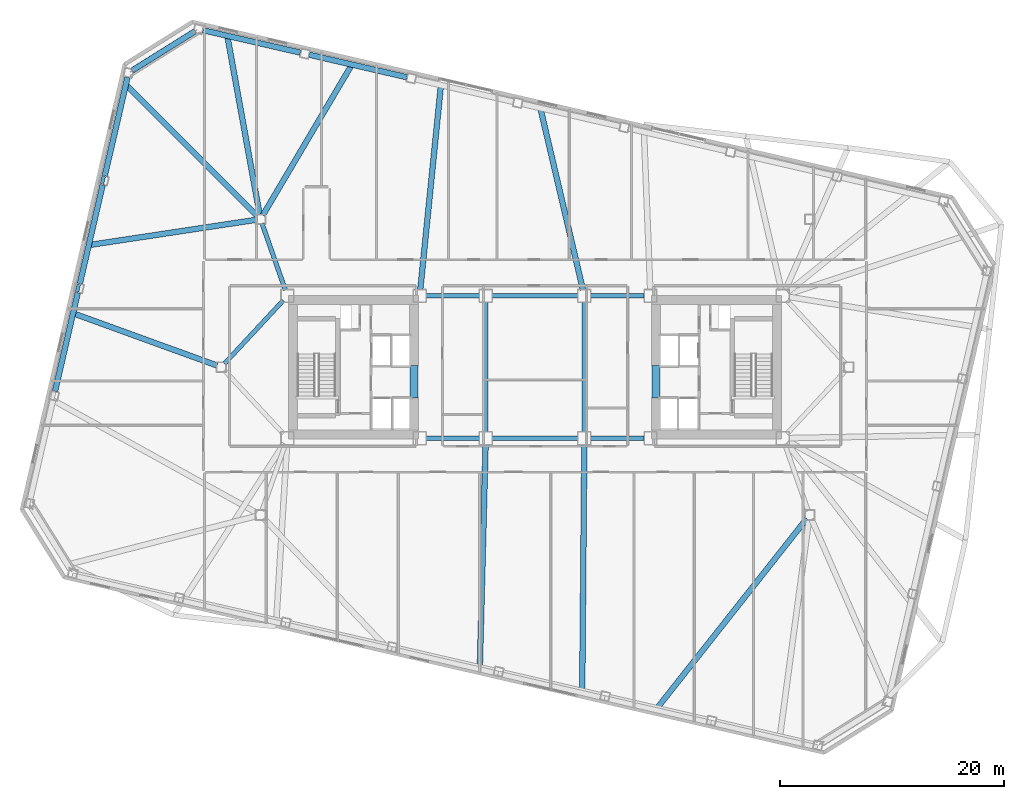
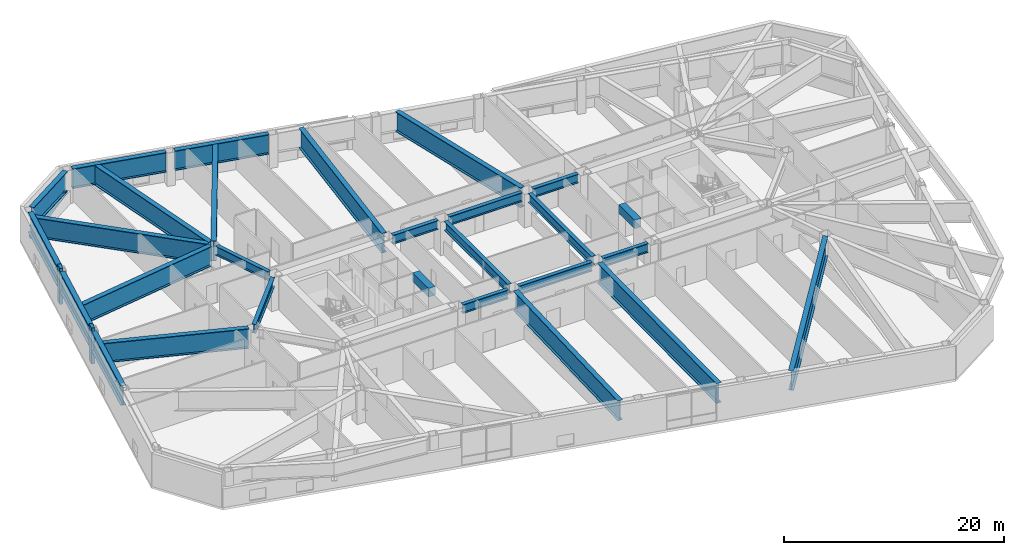
# One storey, part 5 of 19: 28 beams, 3 members.
"""IFC4 building model written with IfcOpenShell, lengths in metres."""

from ifc_helpers import new_model, si_unit, direction, frame, origin, origin_2d, place, context, subcontext, project, spatial, rectangle, hollow_circle, i_section, extrude, material, material_profile, profile_set, type_object, element, save


model = new_model("IFC4")

# Units and contexts
model_context = context("Model", 3, precision=1e-05, world=origin(), true_north=direction((0.0, 1.0)))
body_context = subcontext(model_context, "Body", "Model", "MODEL_VIEW")
ifc_project = project(units=[si_unit("LENGTHUNIT", "METRE"), si_unit("AREAUNIT", "SQUARE_METRE"), si_unit("VOLUMEUNIT", "CUBIC_METRE"), si_unit("PLANEANGLEUNIT", "RADIAN"), si_unit("MASSUNIT", "GRAM", prefix="KILO")], contexts=[model_context])

# Site, building, storey
site_placement = place(None, origin())
site = spatial("IfcSite", under=ifc_project, at=site_placement, CompositionType="ELEMENT")
building_placement = place(site_placement, origin())
building = spatial("IfcBuilding", under=site, at=building_placement, Name="Tavrogorsk Clinical Tower", CompositionType="ELEMENT")
storey_placement = place(building_placement, frame((0.0, 0.0, 79.39990234375)))
storey = spatial("IfcBuildingStorey", under=building, at=storey_placement, Name="L17", CompositionType="ELEMENT", Elevation=79.39990234375)

# Beams
ifc_material_1 = material(Name="Concrete B80", Category="concrete")
ifc_material_profile_1 = material_profile(ifc_material_1, rectangle(XDim=0.699951171875, YDim=0.949951171875, at=origin_2d()), Name="RC-CB-700x950")
ifc_profile_set_1 = profile_set([ifc_material_profile_1], Name="Concrete B80")
beam_type_1 = type_object("IfcBeamType", Name="CouplingBeam_RC700x950", PredefinedType="LINTEL", material=ifc_profile_set_1)
for number, where, z_axis, x_axis, name in (
    (1, (-10.800048828125, -2.75, 3.205078125), (0.0, 1.0, 0.0), (-1.0, 0.0, 0.0), "L17 Core West Coupling Beam"),
    (2, (10.800048828125, -2.75, 3.205078125), (0.0, 1.0, 0.0), (-1.0, 0.0, 0.0), "L17 Core East Coupling Beam"),
):
    element("IfcBeam", number, at=place(storey_placement, frame(where, z_axis=z_axis, x_axis=x_axis)), inside=storey, type_object=beam_type_1, Name=name, PredefinedType="LINTEL", context=body_context, shape_type="SweptSolid", body=[
        extrude(rectangle(XDim=0.699951171875, YDim=0.949951171875, at=origin_2d()), origin(), (0.0, 0.0, 1.0), 2.89990234375),
    ])

# Members
ifc_material_2 = material(Name="Structural steel S440", Category="steel")
ifc_material_profile_2 = material_profile(ifc_material_2, hollow_circle(Radius=0.25390625, WallThickness=0.02001953125, at=origin_2d()), Name="CHS-508x20")
ifc_profile_set_2 = profile_set([ifc_material_profile_2], Name="Structural steel S440")
member_type_1 = type_object("IfcMemberType", Name="ExoBrace_CHS508", PredefinedType="BRACE", material=ifc_profile_set_2)
member_placement = place(storey_placement, frame((-35.934326171875, 26.473388671875, 0.362060546875), z_axis=(0.838227018701, 0.523744467234, 0.151878893074), x_axis=(-0.52989168203, 0.848065330806, 0.0)))
element("IfcMember", 3, at=member_placement, inside=storey, type_object=member_type_1, Name="L17 Corner Exoskeleton Brace N8-W1", PredefinedType="BRACE", context=body_context, shape_type="SweptSolid", body=[
    extrude(hollow_circle(Radius=0.25390625, WallThickness=0.02001953125, at=origin_2d()), origin(), (0.0, 0.0, 1.0), 6.624267578125),
])
ifc_material_3 = material(Name="Precast concrete B45 with limestone cladding", Category="masonry")
ifc_material_profile_3 = material_profile(ifc_material_3, rectangle(XDim=0.320068359375, YDim=0.719970703125, at=origin_2d()), Name="LIMESTONE-FIN-320x720")
ifc_profile_set_3 = profile_set([ifc_material_profile_3], Name="Precast concrete B45 with limestone cladding")
member_type_2 = type_object("IfcMemberType", Name="LimestonePleatFin_320x720", PredefinedType="USERDEFINED", material=ifc_profile_set_3)
for number, where, z_axis, x_axis, name in (
    (4, (-38.572265625, 16.67041015625, 0.0), (0.0, 0.0, 1.0), (0.974370064785, -0.224951054344, 0.0), "L17 W Pleated Stone Fin 1"),
    (5, (-40.7900390625, 7.06298828125, 0.0), (0.0, 0.0, 1.0), (0.974370064785, -0.224951054344, 0.0), "L17 W Pleated Stone Fin 2"),
):
    element("IfcMember", number, at=place(storey_placement, frame(where, z_axis=z_axis, x_axis=x_axis)), inside=storey, type_object=member_type_2, Name=name, ObjectType="FIN", PredefinedType="USERDEFINED", context=body_context, shape_type="SweptSolid", body=[
        extrude(rectangle(XDim=0.320068359375, YDim=0.719970703125, at=origin_2d()), origin(), (0.0, 0.0, 1.0), 4.0),
    ])

# Beams
ifc_material_4 = material(Name="Structural steel S440", Category="steel")
ifc_material_profile_4 = material_profile(ifc_material_4, i_section(OverallWidth=0.39990234375, OverallDepth=1.0, WebThickness=0.028076171875, FlangeThickness=0.044921875, at=origin_2d()), Name="DK-1000x400x28x45")
ifc_profile_set_4 = profile_set([ifc_material_profile_4], Name="Structural steel S440")
beam_type_2 = type_object("IfcBeamType", Name="TransferGirder_DK1000", PredefinedType="USERDEFINED", material=ifc_profile_set_4)
for number, where, z_axis, x_axis, name in (
    (6, (-9.739990234375, -6.35009765625, 3.18017578125), (1.0, 0.0, 0.0), (0.0, 1.0, 0.0), "L17 Primary Spine Girder MG-01"),
    (7, (-9.739990234375, 6.35009765625, 3.18017578125), (1.0, 0.0, 0.0), (0.0, 1.0, 0.0), "L17 Primary Spine Girder MG-02"),
):
    element("IfcBeam", number, at=place(storey_placement, frame(where, z_axis=z_axis, x_axis=x_axis)), inside=storey, type_object=beam_type_2, Name=name, ObjectType="GIRDER", PredefinedType="USERDEFINED", context=body_context, shape_type="SweptSolid", body=[
        extrude(i_section(OverallWidth=0.39990234375, OverallDepth=1.0, WebThickness=0.028076171875, FlangeThickness=0.044921875, at=origin_2d()), origin(), (0.0, 0.0, 1.0), 4.780029296875),
    ])
for number, where, z_axis, x_axis, name in (
    (8, (-3.840087890625, -6.35009765625, 3.18017578125), (1.0, 0.0, 0.0), (0.0, 1.0, 0.0), "L17 Primary Spine Girder MG-03"),
    (9, (-3.840087890625, 6.35009765625, 3.18017578125), (1.0, 0.0, 0.0), (0.0, 1.0, 0.0), "L17 Primary Spine Girder MG-04"),
):
    element("IfcBeam", number, at=place(storey_placement, frame(where, z_axis=z_axis, x_axis=x_axis)), inside=storey, type_object=beam_type_2, Name=name, ObjectType="GIRDER", PredefinedType="USERDEFINED", context=body_context, shape_type="SweptSolid", body=[
        extrude(i_section(OverallWidth=0.39990234375, OverallDepth=1.0, WebThickness=0.028076171875, FlangeThickness=0.044921875, at=origin_2d()), origin(), (0.0, 0.0, 1.0), 7.68017578125),
    ])
for number, where, z_axis, x_axis, name in (
    (10, (4.9599609375, -6.35009765625, 3.18017578125), (1.0, 0.0, 0.0), (0.0, 1.0, 0.0), "L17 Primary Spine Girder MG-05"),
    (11, (4.9599609375, 6.35009765625, 3.18017578125), (1.0, 0.0, 0.0), (0.0, 1.0, 0.0), "L17 Primary Spine Girder MG-06"),
):
    element("IfcBeam", number, at=place(storey_placement, frame(where, z_axis=z_axis, x_axis=x_axis)), inside=storey, type_object=beam_type_2, Name=name, ObjectType="GIRDER", PredefinedType="USERDEFINED", context=body_context, shape_type="SweptSolid", body=[
        extrude(i_section(OverallWidth=0.39990234375, OverallDepth=1.0, WebThickness=0.028076171875, FlangeThickness=0.044921875, at=origin_2d()), origin(), (0.0, 0.0, 1.0), 4.780029296875),
    ])
for number, where, z_axis, x_axis, name in (
    (12, (-4.39990234375, -5.7900390625, 3.18017578125), (0.0, 1.0, 0.0), (-1.0, 0.0, 0.0), "L17 Primary Spine Girder MG-07"),
    (13, (4.39990234375, -5.7900390625, 3.18017578125), (0.0, 1.0, 0.0), (-1.0, 0.0, 0.0), "L17 Primary Spine Girder MG-08"),
):
    element("IfcBeam", number, at=place(storey_placement, frame(where, z_axis=z_axis, x_axis=x_axis)), inside=storey, type_object=beam_type_2, Name=name, ObjectType="GIRDER", PredefinedType="USERDEFINED", context=body_context, shape_type="SweptSolid", body=[
        extrude(i_section(OverallWidth=0.39990234375, OverallDepth=1.0, WebThickness=0.028076171875, FlangeThickness=0.044921875, at=origin_2d()), origin(), (0.0, 0.0, 1.0), 11.580078125),
    ])
beam_1_placement = place(storey_placement, frame((-24.364501953125, 12.81298828125, 3.18017578125), z_axis=(0.330668611543, -0.943746930771, 0.0), x_axis=(0.943746930771, 0.330668611543, 0.0)))
element("IfcBeam", 14, at=beam_1_placement, inside=storey, type_object=beam_type_2, Name="L17 Spine Link Girder OPG-3", ObjectType="GIRDER", PredefinedType="USERDEFINED", context=body_context, shape_type="SweptSolid", body=[
    extrude(i_section(OverallWidth=0.39990234375, OverallDepth=1.0, WebThickness=0.028076171875, FlangeThickness=0.044921875, at=origin_2d()), origin(), (0.0, 0.0, 1.0), 6.288330078125),
])
beam_2_placement = place(storey_placement, frame((-27.720947265625, 0.30029296875, 3.18017578125), z_axis=(0.680671250221, 0.732589004233, 0.0), x_axis=(-0.732589004233, 0.680671250221, 0.0)))
element("IfcBeam", 15, at=beam_2_placement, inside=storey, type_object=beam_type_2, Name="L17 Spine Link Girder OPG-6", ObjectType="GIRDER", PredefinedType="USERDEFINED", context=body_context, shape_type="SweptSolid", body=[
    extrude(i_section(OverallWidth=0.39990234375, OverallDepth=1.0, WebThickness=0.028076171875, FlangeThickness=0.044921875, at=origin_2d()), origin(), (0.0, 0.0, 1.0), 7.697998046875),
])
ifc_material_5 = material(Name="Structural steel S440", Category="steel")
ifc_material_profile_5 = material_profile(ifc_material_5, i_section(OverallWidth=0.5, OverallDepth=2.199951171875, WebThickness=0.035888671875, FlangeThickness=0.054931640625, at=origin_2d()), Name="DK-2200x500x36x55")
ifc_profile_set_5 = profile_set([ifc_material_profile_5], Name="Structural steel S440")
beam_type_3 = type_object("IfcBeamType", Name="TransferGirder_DK2200", PredefinedType="USERDEFINED", material=ifc_profile_set_5)
for number, where, z_axis, x_axis, name in (
    (16, (-11.43994140625, 25.862548828125, 2.580078125), (-0.974372766602, 0.224939351168, 0.0), (-0.224939351168, -0.974372766602, 0.0), "L17 Perimeter Spandrel N6-N7"),
    (17, (-20.9384765625, 28.055419921875, 2.580078125), (-0.974366775889, 0.224965299645, 0.0), (-0.224965299645, -0.974366775889, 0.0), "L17 Perimeter Spandrel N7-N8"),
):
    element("IfcBeam", number, at=place(storey_placement, frame(where, z_axis=z_axis, x_axis=x_axis)), inside=storey, type_object=beam_type_3, Name=name, ObjectType="GIRDER", PredefinedType="USERDEFINED", context=body_context, shape_type="SweptSolid", body=[
        extrude(i_section(OverallWidth=0.5, OverallDepth=2.199951171875, WebThickness=0.035888671875, FlangeThickness=0.054931640625, at=origin_2d()), origin(), (0.0, 0.0, 1.0), 8.9326171875),
    ])
beam_3_placement = place(storey_placement, frame((-30.3857421875, 29.9404296875, 2.580078125), z_axis=(-0.848044454239, -0.529925092475, 0.0), x_axis=(0.529925092475, -0.848044454239, 0.0)))
element("IfcBeam", 18, at=beam_3_placement, inside=storey, type_object=beam_type_3, Name="L17 Perimeter Spandrel N8-W1", ObjectType="GIRDER", PredefinedType="USERDEFINED", context=body_context, shape_type="SweptSolid", body=[
    extrude(i_section(OverallWidth=0.5, OverallDepth=2.199951171875, WebThickness=0.035888671875, FlangeThickness=0.054931640625, at=origin_2d()), origin(), (0.0, 0.0, 1.0), 6.537841796875),
])
beam_4_placement = place(storey_placement, frame((-36.367919921875, 25.862060546875, 2.580078125), z_axis=(-0.224952169462, -0.974369807339, 0.0), x_axis=(0.974369807339, -0.224952169462, 0.0)))
element("IfcBeam", 19, at=beam_4_placement, inside=storey, type_object=beam_type_3, Name="L17 Perimeter Spandrel W1-W2", ObjectType="GIRDER", PredefinedType="USERDEFINED", context=body_context, shape_type="SweptSolid", body=[
    extrude(i_section(OverallWidth=0.5, OverallDepth=2.199951171875, WebThickness=0.035888671875, FlangeThickness=0.054931640625, at=origin_2d()), origin(), (0.0, 0.0, 1.0), 9.043701171875),
])
beam_5_placement = place(storey_placement, frame((-38.5859375, 16.2548828125, 2.580078125), z_axis=(-0.224946252597, -0.974371173343, 0.0), x_axis=(0.974371173343, -0.224946252597, 0.0)))
element("IfcBeam", 20, at=beam_5_placement, inside=storey, type_object=beam_type_3, Name="L17 Perimeter Spandrel W2-W3", ObjectType="GIRDER", PredefinedType="USERDEFINED", context=body_context, shape_type="SweptSolid", body=[
    extrude(i_section(OverallWidth=0.5, OverallDepth=2.199951171875, WebThickness=0.035888671875, FlangeThickness=0.054931640625, at=origin_2d()), origin(), (0.0, 0.0, 1.0), 9.0439453125),
])
beam_6_placement = place(storey_placement, frame((-40.803955078125, 6.6474609375, 2.580078125), z_axis=(-0.224952169462, -0.974369807339, 0.0), x_axis=(0.974369807339, -0.224952169462, 0.0)))
element("IfcBeam", 21, at=beam_6_placement, inside=storey, type_object=beam_type_3, Name="L17 Perimeter Spandrel W3-W4", ObjectType="GIRDER", PredefinedType="USERDEFINED", context=body_context, shape_type="SweptSolid", body=[
    extrude(i_section(OverallWidth=0.5, OverallDepth=2.199951171875, WebThickness=0.035888671875, FlangeThickness=0.054931640625, at=origin_2d()), origin(), (0.0, 0.0, 1.0), 9.043701171875),
])
beam_7_placement = place(storey_placement, frame((-4.41455078125, -6.909912109375, 2.580078125), z_axis=(-0.025901542241, -0.999664498774, 0.0), x_axis=(0.999664498774, -0.025901542241, 0.0)))
element("IfcBeam", 22, at=beam_7_placement, inside=storey, type_object=beam_type_3, Name="L18 Block Transfer Girder S4", ObjectType="GIRDER", PredefinedType="USERDEFINED", context=body_context, shape_type="SweptSolid", body=[
    extrude(i_section(OverallWidth=0.5, OverallDepth=2.199951171875, WebThickness=0.035888671875, FlangeThickness=0.054931640625, at=origin_2d()), origin(), (0.0, 0.0, 1.0), 19.88818359375),
])
beam_8_placement = place(storey_placement, frame((4.395263671875, -6.909912109375, 2.580078125), z_axis=(-0.008603718223, -0.999962987331, 0.0), x_axis=(0.999962987331, -0.008603718223, 0.0)))
element("IfcBeam", 23, at=beam_8_placement, inside=storey, type_object=beam_type_3, Name="L18 Block Transfer Girder S5", ObjectType="GIRDER", PredefinedType="USERDEFINED", context=body_context, shape_type="SweptSolid", body=[
    extrude(i_section(OverallWidth=0.5, OverallDepth=2.199951171875, WebThickness=0.035888671875, FlangeThickness=0.054931640625, at=origin_2d()), origin(), (0.0, 0.0, 1.0), 21.991455078125),
])
beam_9_placement = place(storey_placement, frame((24.245849609375, -13.521728515625, 2.580078125), z_axis=(-0.619748552412, -0.784800440738, 0.0), x_axis=(0.784800440738, -0.619748552412, 0.0)))
element("IfcBeam", 24, at=beam_9_placement, inside=storey, type_object=beam_type_3, Name="L18 Block Transfer Girder S6", ObjectType="GIRDER", PredefinedType="USERDEFINED", context=body_context, shape_type="SweptSolid", body=[
    extrude(i_section(OverallWidth=0.5, OverallDepth=2.199951171875, WebThickness=0.035888671875, FlangeThickness=0.054931640625, at=origin_2d()), origin(), (0.0, 0.0, 1.0), 21.560546875),
])
beam_10_placement = place(storey_placement, frame((4.272216796875, 6.895263671875, 2.580078125), z_axis=(-0.22820760441, 0.973612494419, 0.0), x_axis=(-0.973612494419, -0.22820760441, 0.0)))
element("IfcBeam", 25, at=beam_10_placement, inside=storey, type_object=beam_type_3, Name="L18 Block Transfer Girder N5", ObjectType="GIRDER", PredefinedType="USERDEFINED", context=body_context, shape_type="SweptSolid", body=[
    extrude(i_section(OverallWidth=0.5, OverallDepth=2.199951171875, WebThickness=0.035888671875, FlangeThickness=0.054931640625, at=origin_2d()), origin(), (0.0, 0.0, 1.0), 16.656982421875),
])
beam_11_placement = place(storey_placement, frame((-10.24365234375, 6.9072265625, 2.580078125), z_axis=(0.100402238596, 0.994946928477, 0.0), x_axis=(-0.994946928477, 0.100402238596, 0.0)))
element("IfcBeam", 26, at=beam_11_placement, inside=storey, type_object=beam_type_3, Name="L18 Block Transfer Girder N6", ObjectType="GIRDER", PredefinedType="USERDEFINED", context=body_context, shape_type="SweptSolid", body=[
    extrude(i_section(OverallWidth=0.5, OverallDepth=2.199951171875, WebThickness=0.035888671875, FlangeThickness=0.054931640625, at=origin_2d()), origin(), (0.0, 0.0, 1.0), 18.3466796875),
])
beam_12_placement = place(storey_placement, frame((-24.291259765625, 13.552978515625, 2.580078125), z_axis=(0.508869947846, 0.86084340979, 0.0), x_axis=(-0.86084340979, 0.508869947846, 0.0)))
element("IfcBeam", 27, at=beam_12_placement, inside=storey, type_object=beam_type_3, Name="L18 Block Transfer Girder N7", ObjectType="GIRDER", PredefinedType="USERDEFINED", context=body_context, shape_type="SweptSolid", body=[
    extrude(i_section(OverallWidth=0.5, OverallDepth=2.199951171875, WebThickness=0.035888671875, FlangeThickness=0.054931640625, at=origin_2d()), origin(), (0.0, 0.0, 1.0), 15.614990234375),
])
beam_13_placement = place(storey_placement, frame((-24.572998046875, 13.603515625, 2.580078125), z_axis=(-0.178291942171, 0.983977633565, 0.0), x_axis=(-0.983977633565, -0.178291942171, 0.0)))
element("IfcBeam", 28, at=beam_13_placement, inside=storey, type_object=beam_type_3, Name="L18 Block Transfer Girder N8", ObjectType="GIRDER", PredefinedType="USERDEFINED", context=body_context, shape_type="SweptSolid", body=[
    extrude(i_section(OverallWidth=0.5, OverallDepth=2.199951171875, WebThickness=0.035888671875, FlangeThickness=0.054931640625, at=origin_2d()), origin(), (0.0, 0.0, 1.0), 16.21826171875),
])
beam_14_placement = place(storey_placement, frame((-24.790283203125, 13.48974609375, 2.580078125), z_axis=(-0.707776678732, 0.706436248393, 0.0), x_axis=(-0.706436248393, -0.707776678732, 0.0)))
element("IfcBeam", 29, at=beam_14_placement, inside=storey, type_object=beam_type_3, Name="L18 Block Transfer Girder W1", ObjectType="GIRDER", PredefinedType="USERDEFINED", context=body_context, shape_type="SweptSolid", body=[
    extrude(i_section(OverallWidth=0.5, OverallDepth=2.199951171875, WebThickness=0.035888671875, FlangeThickness=0.054931640625, at=origin_2d()), origin(), (0.0, 0.0, 1.0), 16.574462890625),
])
beam_15_placement = place(storey_placement, frame((-24.905517578125, 13.138671875, 2.580078125), z_axis=(-0.988781419097, -0.149369693209, 0.0), x_axis=(0.149369693209, -0.988781419097, 0.0)))
element("IfcBeam", 30, at=beam_15_placement, inside=storey, type_object=beam_type_3, Name="L18 Block Transfer Girder W2", ObjectType="GIRDER", PredefinedType="USERDEFINED", context=body_context, shape_type="SweptSolid", body=[
    extrude(i_section(OverallWidth=0.5, OverallDepth=2.199951171875, WebThickness=0.035888671875, FlangeThickness=0.054931640625, at=origin_2d()), origin(), (0.0, 0.0, 1.0), 15.08935546875),
])
beam_16_placement = place(storey_placement, frame((-28.385498046875, 0.139892578125, 2.580078125), z_axis=(-0.939995663286, 0.341186390415, 0.0), x_axis=(-0.341186390415, -0.939995663286, 0.0)))
element("IfcBeam", 31, at=beam_16_placement, inside=storey, type_object=beam_type_3, Name="L18 Block Transfer Girder W3", ObjectType="GIRDER", PredefinedType="USERDEFINED", context=body_context, shape_type="SweptSolid", body=[
    extrude(i_section(OverallWidth=0.5, OverallDepth=2.199951171875, WebThickness=0.035888671875, FlangeThickness=0.054931640625, at=origin_2d()), origin(), (0.0, 0.0, 1.0), 13.664306640625),
])

save(model, "model.ifc")
